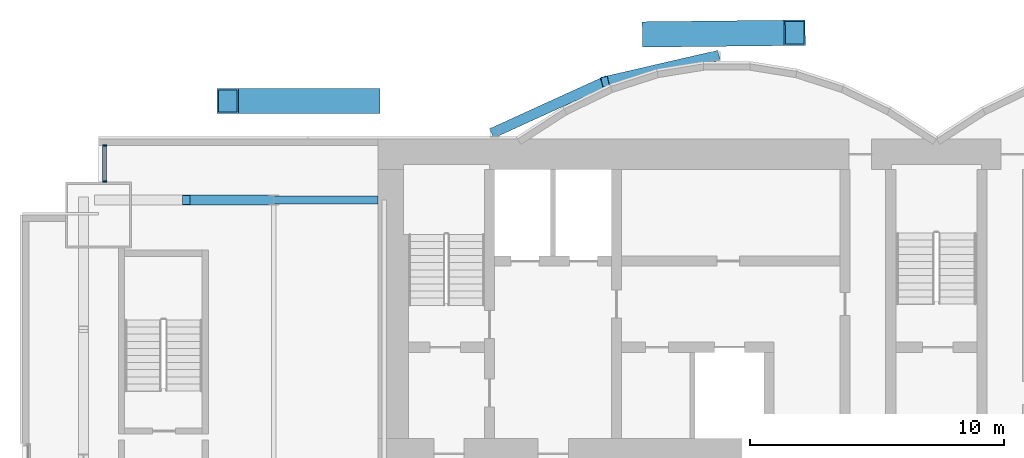
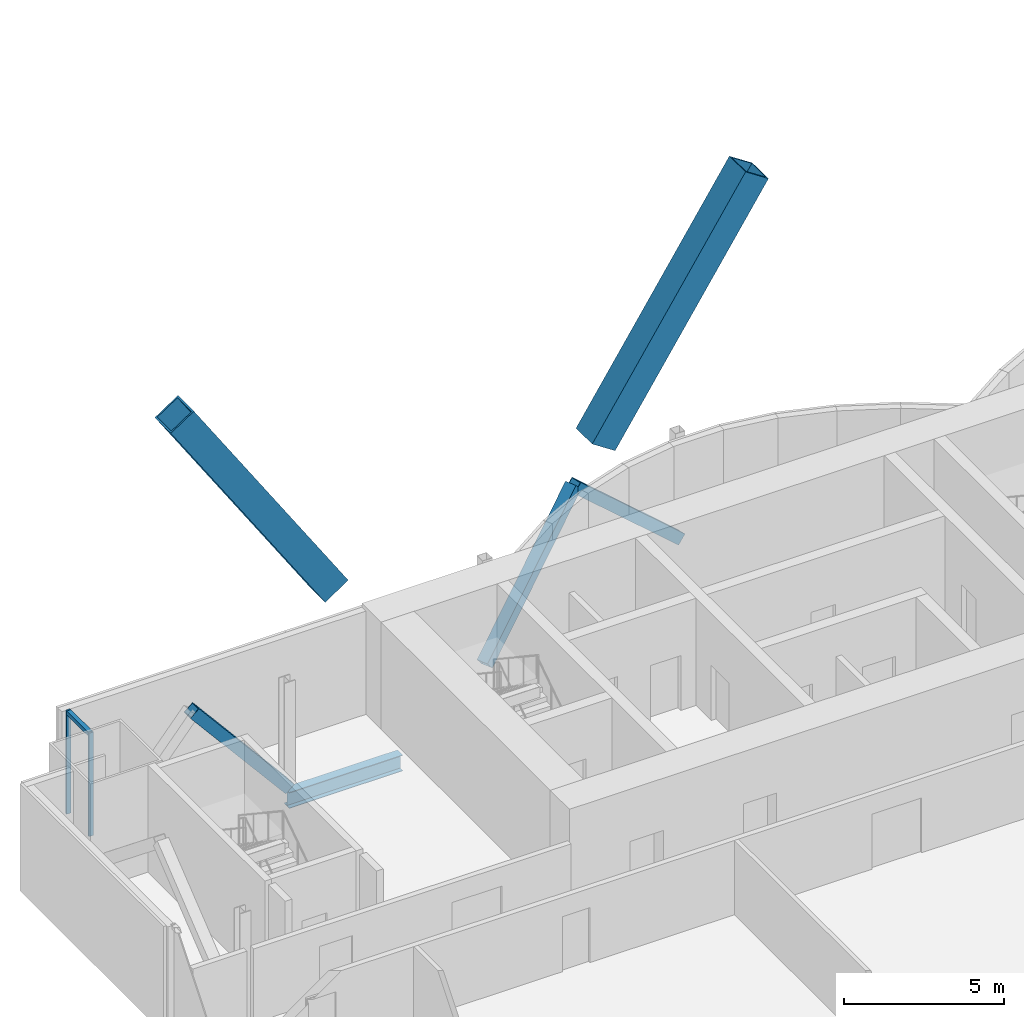
# One storey, part 11 of 22: 8 members, 1 beam, 1 element without a shape of its own.
"""IFC4 building model written with IfcOpenShell, lengths in metres."""

from ifc_helpers import new_model, si_unit, direction, frame, origin, origin_2d, place, context, subcontext, project, spatial, rectangle, hollow_rectangle, i_section, extrude, material, material_profile, profile_set, type_object, element, aggregate, save


model = new_model("IFC4")

# Units and contexts
model_context = context("Model", 3, precision=1e-05, world=origin(), true_north=direction((0.0, 1.0)))
body_context = subcontext(model_context, "Body", "Model", "MODEL_VIEW")
ifc_project = project(units=[si_unit("LENGTHUNIT", "METRE"), si_unit("AREAUNIT", "SQUARE_METRE"), si_unit("VOLUMEUNIT", "CUBIC_METRE"), si_unit("PLANEANGLEUNIT", "RADIAN"), si_unit("MASSUNIT", "GRAM", prefix="KILO")], contexts=[model_context])

# Site, building, storey
site_placement = place(None, origin())
site = spatial("IfcSite", under=ifc_project, at=site_placement, CompositionType="ELEMENT")
building_placement = place(site_placement, origin())
building = spatial("IfcBuilding", under=site, at=building_placement, Name="Bicima Exchange Tower", CompositionType="ELEMENT")
storey_placement = place(building_placement, frame((0.0, 0.0, 169.10009765625)))
storey = spatial("IfcBuildingStorey", under=building, at=storey_placement, Name="L37", CompositionType="ELEMENT", Elevation=169.10009765625)

# Members
ifc_material_1 = material(Name="Steel ASTM A572 Gr 50", Category="steel")
ifc_material_profile_1 = material_profile(ifc_material_1, hollow_rectangle(XDim=1.0, YDim=1.0, WallThickness=0.06005859375, at=origin_2d()))
ifc_profile_set_1 = profile_set([ifc_material_profile_1], Name="Steel ASTM A572 Gr 50")
member_type_1 = type_object("IfcMemberType", Name="Exo mega brace BOX 1000x1000x60", PredefinedType="BRACE", material=ifc_profile_set_1)
member_1_placement = place(storey_placement, frame((-11.166748046875, 4.125, 4.066650390625), z_axis=(0.552803101452, 0.006091227878, 0.833289642302), x_axis=(-0.011018133066, 0.99993929853, 0.0)))
element("IfcMember", 1, at=member_1_placement, inside=storey, type_object=member_type_1, Name="Exo mega brace rear", PredefinedType="BRACE", context=body_context, shape_type="SweptSolid", body=[
    extrude(hollow_rectangle(XDim=1.0, YDim=1.0, WallThickness=0.06005859375, at=origin_2d()), origin(), (0.0, 0.0, 1.0), 10.100341796875),
])
member_2_placement = place(storey_placement, frame((-22.333251953125, 1.5, 4.066650390625), z_axis=(-0.55281335708, 0.0, 0.833305101529), x_axis=(0.0, -1.0, 0.0)))
element("IfcMember", 2, at=member_2_placement, inside=storey, type_object=member_type_1, Name="Exo mega brace rear", PredefinedType="BRACE", context=body_context, shape_type="SweptSolid", body=[
    extrude(hollow_rectangle(XDim=1.0, YDim=1.0, WallThickness=0.06005859375, at=origin_2d()), origin(), (0.0, 0.0, 1.0), 10.10009765625),
])

# Curtain wall, members
ifc_material_2 = material(Name="Anodised bronze aluminium", Category="aluminium")
curtain_wall_type = type_object("IfcCurtainWallType", Name="Front glass wall", PredefinedType="NOTDEFINED", material=ifc_material_2)
curtain_wall_placement = place(storey_placement, origin())
curtain_wall = element("IfcCurtainWall", 3, at=curtain_wall_placement, inside=storey, type_object=curtain_wall_type, Name="Front glass wall L37 run 1", PredefinedType="NOTDEFINED")
ifc_material_profile_2 = material_profile(ifc_material_2, rectangle(XDim=0.159912109375, YDim=0.06005859375, at=origin_2d()))
ifc_profile_set_2 = profile_set([ifc_material_profile_2], Name="Anodised bronze aluminium")
member_type_2 = type_object("IfcMemberType", Name="Front glass wall mullion 60 x 160", PredefinedType="MULLION", material=ifc_profile_set_2)
member_3_placement = place(storey_placement, frame((-32.77001953125, -0.260009765625, 0.0), z_axis=(0.0, 0.0, 1.0), x_axis=(1.0, 0.0, 0.0)))
member_3 = element("IfcMember", 4, at=member_3_placement, type_object=member_type_2, Name="Front glass wall mullion 1", PredefinedType="MULLION", context=body_context, shape_type="SweptSolid", body=[
    extrude(rectangle(XDim=0.159912109375, YDim=0.06005859375, at=origin_2d()), origin(), (0.0, 0.0, 1.0), 3.949951171875),
])
member_4_placement = place(storey_placement, frame((-32.77001953125, -1.669921875, 0.0), z_axis=(0.0, 0.0, 1.0), x_axis=(1.0, 0.0, 0.0)))
member_4 = element("IfcMember", 5, at=member_4_placement, type_object=member_type_2, Name="Front glass wall mullion 2", PredefinedType="MULLION", context=body_context, shape_type="SweptSolid", body=[
    extrude(rectangle(XDim=0.159912109375, YDim=0.06005859375, at=origin_2d()), origin(), (0.0, 0.0, 1.0), 3.949951171875),
])
ifc_material_profile_3 = material_profile(ifc_material_2, rectangle(XDim=0.159912109375, YDim=0.139892578125, at=origin_2d()))
ifc_profile_set_3 = profile_set([ifc_material_profile_3], Name="Anodised bronze aluminium")
member_type_3 = type_object("IfcMemberType", Name="Front glass wall transom 140 x 160", PredefinedType="USERDEFINED", material=ifc_profile_set_3)
member_5_placement = place(storey_placement, frame((-32.77001953125, -0.2900390625, 3.8798828125), z_axis=(0.0, -1.0, 0.0), x_axis=(1.0, 0.0, 0.0)))
member_5 = element("IfcMember", 6, at=member_5_placement, type_object=member_type_3, Name="Front glass wall transom 1.1", ObjectType="TRANSOM", PredefinedType="USERDEFINED", context=body_context, shape_type="SweptSolid", body=[
    extrude(rectangle(XDim=0.159912109375, YDim=0.139892578125, at=origin_2d()), origin(), (0.0, 0.0, 1.0), 1.349853515625),
])
aggregate(curtain_wall, [member_3, member_4, member_5])

# Members
ifc_material_profile_4 = material_profile(ifc_material_1, hollow_rectangle(XDim=0.406494140625, YDim=0.406494140625, WallThickness=0.017822265625, at=origin_2d()))
ifc_profile_set_4 = profile_set([ifc_material_profile_4], Name="Steel ASTM A572 Gr 50")
member_type_4 = type_object("IfcMemberType", Name="Mega brace HSS16x16x3/4", PredefinedType="BRACE", material=ifc_profile_set_4)
member_6_placement = place(storey_placement, frame((-17.39990234375, 0.278076171875, 0.0), z_axis=(0.690646390594, 0.3150684101, 0.650952732629), x_axis=(-0.415045223819, 0.909800781592, 0.0)))
element("IfcMember", 7, at=member_6_placement, inside=storey, type_object=member_type_4, Name="Mega brace rexo", PredefinedType="BRACE", context=body_context, shape_type="SweptSolid", body=[
    extrude(hollow_rectangle(XDim=0.406494140625, YDim=0.406494140625, WallThickness=0.017822265625, at=origin_2d()), origin(), (0.0, 0.0, 1.0), 6.29833984375),
])
member_7_placement = place(storey_placement, frame((-8.699951171875, 3.26904296875, 0.0), z_axis=(-0.717625168184, -0.166055032463, 0.676342993002), x_axis=(0.225438503722, -0.974257399787, 0.0)))
element("IfcMember", 8, at=member_7_placement, inside=storey, type_object=member_type_4, Name="Mega brace rexo", PredefinedType="BRACE", context=body_context, shape_type="SweptSolid", body=[
    extrude(hollow_rectangle(XDim=0.406494140625, YDim=0.406494140625, WallThickness=0.017822265625, at=origin_2d()), origin(), (0.0, 0.0, 1.0), 6.061767578125),
])
member_8_placement = place(storey_placement, frame((-26.10009765625, -2.39990234375, 0.0), z_axis=(-0.643856488545, 0.0, 0.765146275008), x_axis=(0.0, -1.0, 0.0)))
element("IfcMember", 9, at=member_8_placement, inside=storey, type_object=member_type_4, Name="Mega brace rear", PredefinedType="BRACE", context=body_context, shape_type="SweptSolid", body=[
    extrude(hollow_rectangle(XDim=0.406494140625, YDim=0.406494140625, WallThickness=0.017822265625, at=origin_2d()), origin(), (0.0, 0.0, 1.0), 5.358154296875),
])

# Beam
ifc_material_3 = material(Name="Steel ASTM A992 Gr 50", Category="steel")
ifc_material_profile_5 = material_profile(ifc_material_3, i_section(OverallWidth=0.3251953125, OverallDepth=0.612060546875, WebThickness=0.0126953125, FlangeThickness=0.01904296875, at=origin_2d()))
ifc_profile_set_5 = profile_set([ifc_material_profile_5], Name="Steel ASTM A992 Gr 50")
beam_type = type_object("IfcBeamType", Name="Rear girder W24x104", PredefinedType="BEAM", material=ifc_profile_set_5)
beam_placement = place(storey_placement, frame((-22.0, -2.39990234375, -0.456298828125), z_axis=(-1.0, 0.0, 0.0), x_axis=(0.0, -1.0, 0.0)))
element("IfcBeam", 10, at=beam_placement, inside=storey, type_object=beam_type, Name="Rear girder", PredefinedType="BEAM", context=body_context, shape_type="SweptSolid", body=[
    extrude(i_section(OverallWidth=0.3251953125, OverallDepth=0.612060546875, WebThickness=0.0126953125, FlangeThickness=0.01904296875, at=origin_2d()), origin(), (0.0, 0.0, 1.0), 4.10009765625),
])

save(model, "model.ifc")
